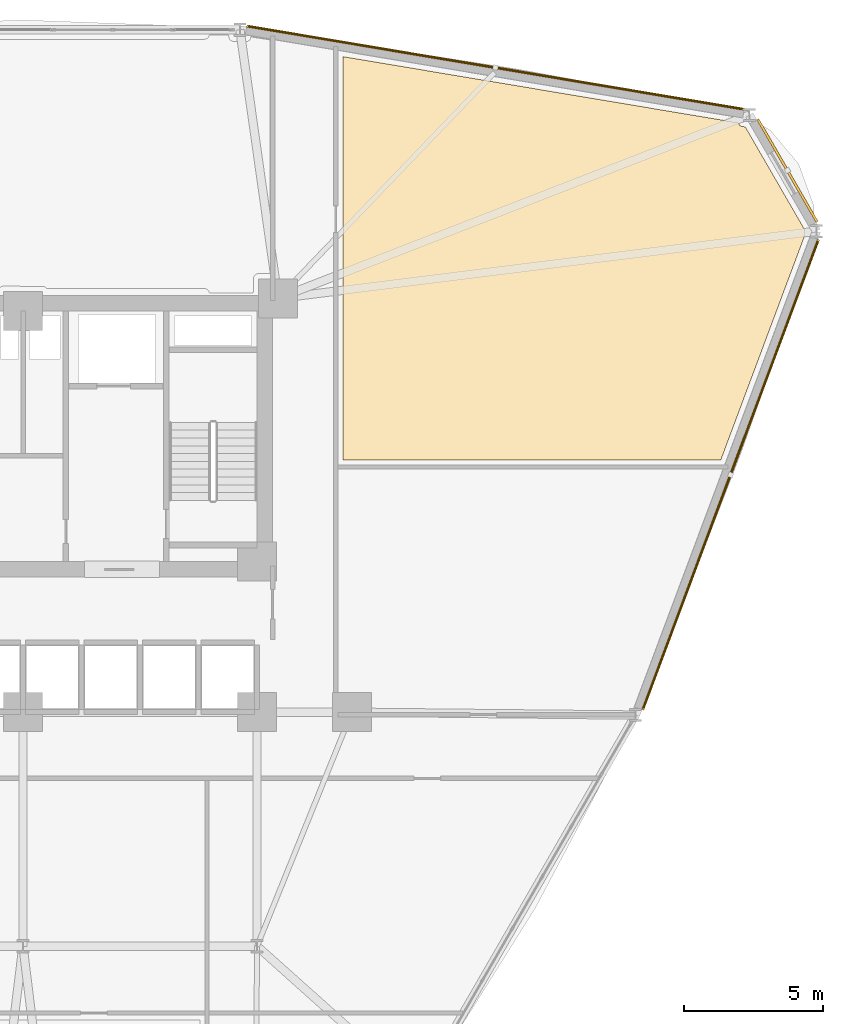
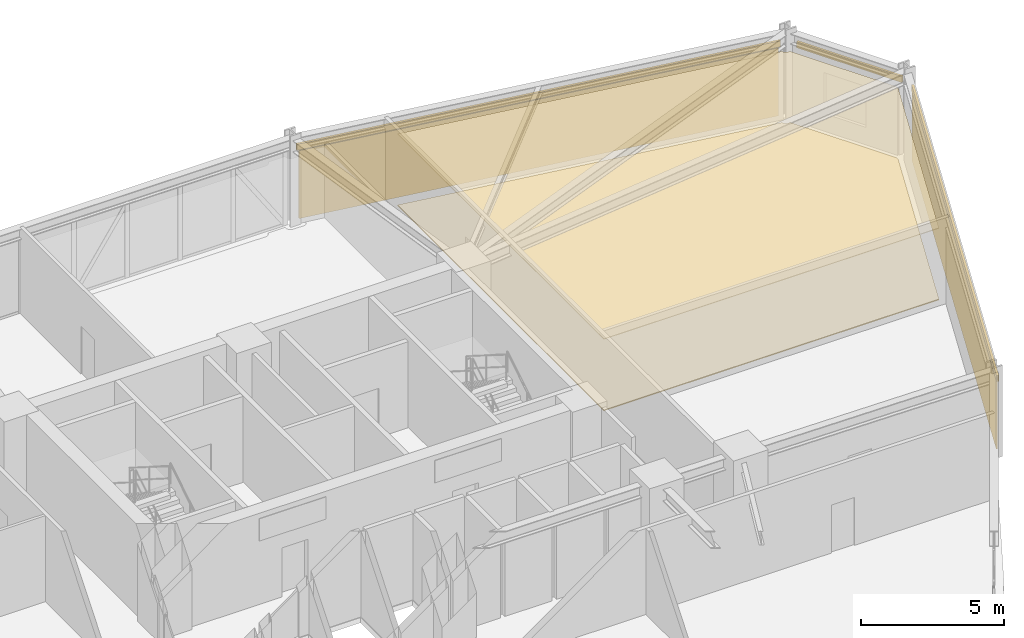
# One storey, part 22 of 22: 4 coverings, 3 shading devices.
"""IFC4 building model written with IfcOpenShell, lengths in metres."""

from ifc_helpers import new_model, si_unit, derived_unit, direction, frame, origin, origin_2d, place, context, subcontext, project, spatial, polyline, hollow_rectangle, outline, extrude, source, transform, mapped, material, layer, layer_set, material_profile, profile_set, type_object, element, save


model = new_model("IFC4")

# Units and contexts
model_context = context("Model", 3, precision=1e-05, world=origin(), true_north=direction((0.0, 1.0)))
body_context = subcontext(model_context, "Body", "Model", "MODEL_VIEW")
ifc_project = project(units=[si_unit("LENGTHUNIT", "METRE"), si_unit("AREAUNIT", "SQUARE_METRE"), si_unit("VOLUMEUNIT", "CUBIC_METRE"), si_unit("PLANEANGLEUNIT", "RADIAN"), si_unit("MASSUNIT", "GRAM", prefix="KILO"), derived_unit("THERMALTRANSMITTANCEUNIT", [(si_unit("POWERUNIT", "WATT"), 1), (si_unit("LENGTHUNIT", "METRE"), -2), (si_unit("THERMODYNAMICTEMPERATUREUNIT", "KELVIN"), -1)])], contexts=[model_context])

# Site, building, storey
site_placement = place(None, origin())
site = spatial("IfcSite", under=ifc_project, at=site_placement, CompositionType="ELEMENT")
building_placement = place(site_placement, origin())
building = spatial("IfcBuilding", under=site, at=building_placement, Name="Korsvarv Bourse and Concert Hall", CompositionType="ELEMENT")
storey_placement = place(building_placement, frame((0.0, 0.0, 47.39990234375)))
storey = spatial("IfcBuildingStorey", under=building, at=storey_placement, Name="L11", CompositionType="ELEMENT", Elevation=47.39990234375)

# Coverings
ifc_material_1 = material(Name="Perforated mineral-wool and birch acoustic baffle ceiling", Category="wood")
ifc_layer_1 = layer(ifc_material_1, 0.02490234375)
ifc_layer_set_1 = layer_set([ifc_layer_1], Name="Perforated mineral-wool and birch acoustic baffle ceiling")
covering_type_1 = type_object("IfcCoveringType", Name="COV-CEIL-1", PredefinedType="CEILING", material=ifc_layer_set_1)
covering_1_placement = place(storey_placement, frame((0.0, 0.0, 3.06005859375)))
element("IfcCovering", 1, at=covering_1_placement, inside=storey, type_object=covering_type_1, Name="L11 acoustic baffle ceiling 1", PredefinedType="CEILING", context=body_context, shape_type="SweptSolid", body=[
    extrude(outline(polyline([(47.47998046875, 55.92626953125), (61.672119140625, 53.55029296875), (61.681640625, 53.520751953125), (61.69921875, 53.489013671875), (61.722900390625, 53.46142578125), (61.75146484375, 53.439208984375), (61.783935546875, 53.4228515625), (61.819091796875, 53.413818359375), (61.919921875, 53.4072265625), (64.072509765625, 49.6787109375), (64.072509765625, 49.55810546875), (61.041748046875, 41.449951171875), (47.47998046875, 41.449951171875), (47.47998046875, 55.92626953125)])), origin(), (0.0, 0.0, 1.0), 0.025146484375),
])
ifc_material_2 = material(Name="Warm iron-oxide extruded terracotta rainscreen tile", Category="ceramic")
ifc_layer_2 = layer(ifc_material_2, 0.044921875)
ifc_layer_set_2 = layer_set([ifc_layer_2], Name="Warm iron-oxide extruded terracotta rainscreen tile")
covering_type_2 = type_object("IfcCoveringType", Name="COV-CLD-TC", PredefinedType="CLADDING", material=ifc_layer_set_2)
covering_2_placement = place(storey_placement, origin())
element("IfcCovering", 2, at=covering_2_placement, inside=storey, type_object=covering_type_2, Name="L11 fluted terracotta cladding panel EW-L11-B02", PredefinedType="CLADDING", context=body_context, shape_type="SweptSolid", body=[
    extrude(outline(polyline([(61.795654296875, 54.01123046875), (44.102783203125, 56.97314453125), (44.1103515625, 57.017578125), (61.802978515625, 54.055419921875), (61.795654296875, 54.01123046875)])), origin(), (0.0, 0.0, 1.0), 2.91015625),
])
covering_3_placement = place(storey_placement, origin())
element("IfcCovering", 3, at=covering_3_placement, inside=storey, type_object=covering_type_2, Name="L11 fluted terracotta cladding panel EW-L11-B12", PredefinedType="CLADDING", context=body_context, shape_type="SweptSolid", body=[
    extrude(outline(polyline([(58.228271484375, 32.566650390625), (64.482421875, 49.298095703125), (64.524658203125, 49.282470703125), (58.270263671875, 32.55078125), (58.228271484375, 32.566650390625)])), origin(), (0.0, 0.0, 1.0), 2.91015625),
])
ifc_material_3 = material(Name="Calcium-sulphate raised access trading floor with Nordic oak top", Category="wood")
ifc_layer_3 = layer(ifc_material_3, 0.0400390625)
ifc_layer_set_3 = layer_set([ifc_layer_3], Name="Calcium-sulphate raised access trading floor with Nordic oak top")
covering_type_3 = type_object("IfcCoveringType", Name="COV-FLOR-1", PredefinedType="FLOORING", material=ifc_layer_set_3)
covering_4_placement = place(storey_placement, origin())
element("IfcCovering", 4, at=covering_4_placement, inside=storey, type_object=covering_type_3, Name="L11 raised access oak floor finish 1", PredefinedType="FLOORING", context=body_context, shape_type="SweptSolid", body=[
    extrude(outline(polyline([(47.47998046875, 55.92626953125), (61.672119140625, 53.55029296875), (61.681640625, 53.520751953125), (61.69921875, 53.489013671875), (61.722900390625, 53.46142578125), (61.75146484375, 53.439208984375), (61.783935546875, 53.4228515625), (61.819091796875, 53.413818359375), (61.919921875, 53.4072265625), (64.072509765625, 49.6787109375), (64.072509765625, 49.55810546875), (61.041748046875, 41.449951171875), (47.47998046875, 41.449951171875), (47.47998046875, 55.92626953125)])), origin(), (0.0, 0.0, 1.0), 0.0400390625),
])

# Shading devices
ifc_material_4 = material(Name="Glazed extruded architectural terracotta", Category="ceramic")
ifc_material_profile = material_profile(ifc_material_4, hollow_rectangle(XDim=0.090087890625, YDim=0.260009765625, WallThickness=0.011962890625, at=origin_2d()), Name="TC-BAG 90x260")
ifc_profile_set = profile_set([ifc_material_profile], Name="Glazed extruded architectural terracotta")
shading_device_type = type_object("IfcShadingDeviceType", Name="SHD-BAG-1", PredefinedType="USERDEFINED", material=ifc_profile_set)
shared_shape_1 = source(origin(), body_context, "Body", "SweptSolid", [
    extrude(hollow_rectangle(XDim=0.090087890625, YDim=0.260009765625, WallThickness=0.011962890625, at=origin_2d()), origin(), (0.0, 0.0, 1.0), 4.251708984375),
])
shading_device_1_placement = place(storey_placement, frame((64.4951171875, 49.996826171875, 3.070068359375), z_axis=(-0.500017365573, 0.866015377534, 0.0), x_axis=(-0.866015377534, -0.500017365573, 0.0)))
element("IfcShadingDevice", 5, at=shading_device_1_placement, inside=storey, type_object=shading_device_type, Name="L11 terracotta baguette sunshade EW-L11-B01", ObjectType="BAGUETTE", PredefinedType="USERDEFINED", context=body_context, shape_type="MappedRepresentation", body=[
    mapped(shared_shape_1, transform((0.0, 0.0, 0.0), scale=1.0)),
])
shared_shape_2 = source(origin(), body_context, "Body", "SweptSolid", [
    extrude(hollow_rectangle(XDim=0.090087890625, YDim=0.260009765625, WallThickness=0.011962890625, at=origin_2d()), origin(), (0.0, 0.0, 1.0), 18.09912109375),
])
shading_device_2_placement = place(storey_placement, frame((61.881103515625, 54.037353515625, 3.070068359375), z_axis=(-0.986273350987, 0.165120795577, 0.0), x_axis=(-0.165120795577, -0.986273350987, 0.0)))
element("IfcShadingDevice", 6, at=shading_device_2_placement, inside=storey, type_object=shading_device_type, Name="L11 terracotta baguette sunshade EW-L11-B02", ObjectType="BAGUETTE", PredefinedType="USERDEFINED", context=body_context, shape_type="MappedRepresentation", body=[
    mapped(shared_shape_2, transform((0.0, 0.0, 0.0), scale=1.0)),
])
shared_shape_3 = source(origin(), body_context, "Body", "SweptSolid", [
    extrude(hollow_rectangle(XDim=0.090087890625, YDim=0.260009765625, WallThickness=0.011962890625, at=origin_2d()), origin(), (0.0, 0.0, 1.0), 18.022216796875),
])
shading_device_3_placement = place(storey_placement, frame((58.237548828125, 32.477783203125, 3.070068359375), z_axis=(0.350152351757, 0.936692762094, 0.0), x_axis=(-0.936692762094, 0.350152351757, 0.0)))
element("IfcShadingDevice", 7, at=shading_device_3_placement, inside=storey, type_object=shading_device_type, Name="L11 terracotta baguette sunshade EW-L11-B12", ObjectType="BAGUETTE", PredefinedType="USERDEFINED", context=body_context, shape_type="MappedRepresentation", body=[
    mapped(shared_shape_3, transform((0.0, 0.0, 0.0), scale=1.0)),
])

save(model, "model.ifc")
